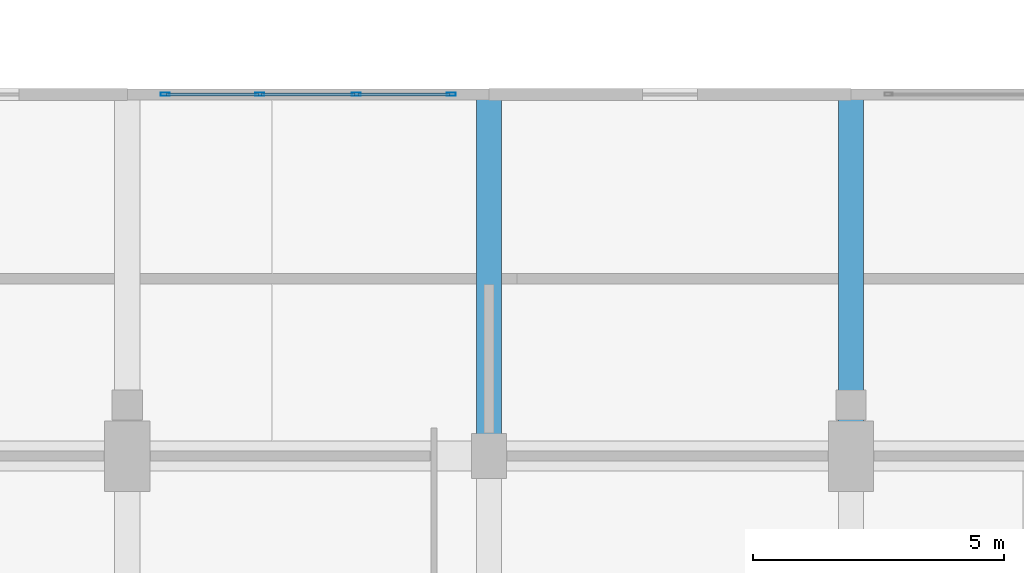
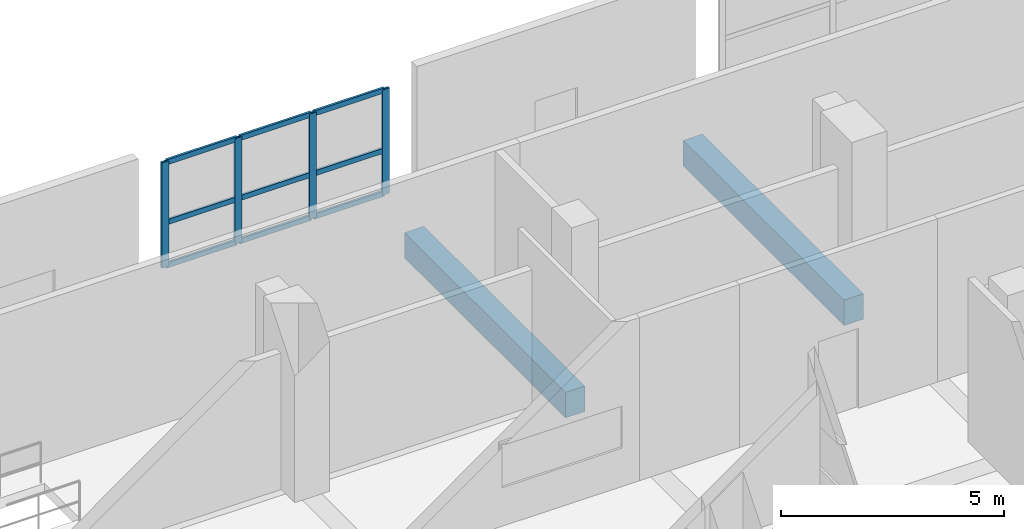
# One storey, part 89 of 181: 13 members, 2 beams, 1 element without a shape of its own.
"""IFC4 building model written with IfcOpenShell, lengths in metres."""

from ifc_helpers import new_model, si_unit, direction, frame, origin, origin_2d, place, context, subcontext, project, spatial, rectangle, hollow_rectangle, extrude, material, layer, layer_set, material_profile, profile_set, type_object, element, aggregate, save


model = new_model("IFC4")

# Units and contexts
model_context = context("Model", 3, precision=1e-05, world=origin(), true_north=direction((0.0, 1.0)))
body_context = subcontext(model_context, "Body", "Model", "MODEL_VIEW")
ifc_project = project(units=[si_unit("LENGTHUNIT", "METRE"), si_unit("AREAUNIT", "SQUARE_METRE"), si_unit("VOLUMEUNIT", "CUBIC_METRE"), si_unit("PLANEANGLEUNIT", "RADIAN"), si_unit("MASSUNIT", "GRAM", prefix="KILO")], contexts=[model_context])

# Site, building, storey
site_placement = place(None, origin())
site = spatial("IfcSite", under=ifc_project, at=site_placement, CompositionType="ELEMENT")
building_placement = place(site_placement, origin())
building = spatial("IfcBuilding", under=site, at=building_placement, Name="Seraya Terrace Polytechnic", CompositionType="ELEMENT")
storey_placement = place(building_placement, frame((0.0, 0.0, 4.800048828125)))
storey = spatial("IfcBuildingStorey", under=building, at=storey_placement, Name="L01", CompositionType="ELEMENT", Elevation=4.800048828125)

# Beams
ifc_material_1 = material(Name="Concrete C40/50", Category="concrete")
ifc_material_profile_1 = material_profile(ifc_material_1, rectangle(XDim=0.5, YDim=0.699951171875, at=origin_2d()), Name="RC 500x700")
ifc_profile_set_1 = profile_set([ifc_material_profile_1], Name="Concrete C40/50")
beam_type = type_object("IfcBeamType", Name="BM-07", PredefinedType="BEAM", material=ifc_profile_set_1)
for number, where, z_axis, x_axis, name in (
    (1, (79.199951171875, 79.199951171875, -0.35009765625), (0.0, 1.0, 0.0), (-1.0, 0.0, 0.0), "Beam BM-07 L01 Y (79.2, 79.2..86.4)"),
    (2, (86.39990234375, 79.199951171875, -0.35009765625), (0.0, 1.0, 0.0), (-1.0, 0.0, 0.0), "Beam BM-07 L01 Y (86.4, 79.2..86.4)"),
):
    element("IfcBeam", number, at=place(storey_placement, frame(where, z_axis=z_axis, x_axis=x_axis)), inside=storey, type_object=beam_type, Name=name, PredefinedType="BEAM", context=body_context, shape_type="SweptSolid", body=[
        extrude(rectangle(XDim=0.5, YDim=0.699951171875, at=origin_2d()), origin(), (0.0, 0.0, 1.0), 7.199951171875),
    ])

# Curtain wall, members
ifc_material_2 = material(Name="Anodised aluminium EN AW-6063 T6", Category="aluminium")
ifc_layer = layer(ifc_material_2, 0.179931640625, Name="CW-13")
ifc_layer_set = layer_set([ifc_layer], Name="Anodised aluminium EN AW-6063 T6")
curtain_wall_type = type_object("IfcCurtainWallType", Name="CW-13", PredefinedType="NOTDEFINED", material=ifc_layer_set)
curtain_wall_placement = place(storey_placement, origin())
curtain_wall = element("IfcCurtainWall", 3, at=curtain_wall_placement, inside=storey, type_object=curtain_wall_type, Name="Unitised curtain wall CW-13 (CW-L01-013)", PredefinedType="NOTDEFINED")
ifc_material_profile_2 = material_profile(ifc_material_2, hollow_rectangle(XDim=0.06494140625, YDim=0.179931640625, WallThickness=0.00390625, at=origin_2d()), Name="RHS 180x65x4.0")
ifc_profile_set_2 = profile_set([ifc_material_profile_2], Name="Anodised aluminium EN AW-6063 T6")
member_type_1 = type_object("IfcMemberType", Name="CWM-01", PredefinedType="MULLION", material=ifc_profile_set_2)
member_1_placement = place(storey_placement, frame((72.75244140625, 86.39990234375, 1.239990234375), z_axis=(0.0, 0.0, 1.0), x_axis=(0.0, 1.0, 0.0)))
member_1 = element("IfcMember", 4, at=member_1_placement, type_object=member_type_1, Name="CW-13 mullion 1", PredefinedType="MULLION", context=body_context, shape_type="SweptSolid", body=[
    extrude(hollow_rectangle(XDim=0.06494140625, YDim=0.179931640625, WallThickness=0.00390625, at=origin_2d()), origin(), (0.0, 0.0, 1.0), 2.8798828125),
])
member_2_placement = place(storey_placement, frame((74.639892578125, 86.39990234375, 1.239990234375), z_axis=(0.0, 0.0, 1.0), x_axis=(0.0, 1.0, 0.0)))
member_2 = element("IfcMember", 5, at=member_2_placement, type_object=member_type_1, Name="CW-13 mullion 2", PredefinedType="MULLION", context=body_context, shape_type="SweptSolid", body=[
    extrude(hollow_rectangle(XDim=0.06494140625, YDim=0.179931640625, WallThickness=0.00390625, at=origin_2d()), origin(), (0.0, 0.0, 1.0), 2.8798828125),
])
member_3_placement = place(storey_placement, frame((76.56005859375, 86.39990234375, 1.239990234375), z_axis=(0.0, 0.0, 1.0), x_axis=(0.0, 1.0, 0.0)))
member_3 = element("IfcMember", 6, at=member_3_placement, type_object=member_type_1, Name="CW-13 mullion 3", PredefinedType="MULLION", context=body_context, shape_type="SweptSolid", body=[
    extrude(hollow_rectangle(XDim=0.06494140625, YDim=0.179931640625, WallThickness=0.00390625, at=origin_2d()), origin(), (0.0, 0.0, 1.0), 2.8798828125),
])
member_4_placement = place(storey_placement, frame((78.447509765625, 86.39990234375, 1.239990234375), z_axis=(0.0, 0.0, 1.0), x_axis=(0.0, 1.0, 0.0)))
member_4 = element("IfcMember", 7, at=member_4_placement, type_object=member_type_1, Name="CW-13 mullion 4", PredefinedType="MULLION", context=body_context, shape_type="SweptSolid", body=[
    extrude(hollow_rectangle(XDim=0.06494140625, YDim=0.179931640625, WallThickness=0.00390625, at=origin_2d()), origin(), (0.0, 0.0, 1.0), 2.8798828125),
])
ifc_material_profile_3 = material_profile(ifc_material_2, hollow_rectangle(XDim=0.06005859375, YDim=0.139892578125, WallThickness=0.00341796875, at=origin_2d()), Name="RHS 140x60x3.5")
ifc_profile_set_3 = profile_set([ifc_material_profile_3], Name="Anodised aluminium EN AW-6063 T6")
member_type_2 = type_object("IfcMemberType", Name="CWT-01", PredefinedType="USERDEFINED", material=ifc_profile_set_3)
member_5_placement = place(storey_placement, frame((72.784912109375, 86.39990234375, 1.27001953125), z_axis=(1.0, 0.0, 0.0), x_axis=(0.0, 1.0, 0.0)))
member_5 = element("IfcMember", 8, at=member_5_placement, type_object=member_type_2, Name="CW-13 transom 1.1", ObjectType="TRANSOM", PredefinedType="USERDEFINED", context=body_context, shape_type="SweptSolid", body=[
    extrude(hollow_rectangle(XDim=0.06005859375, YDim=0.139892578125, WallThickness=0.00341796875, at=origin_2d()), origin(), (0.0, 0.0, 1.0), 1.822509765625),
])
member_6_placement = place(storey_placement, frame((72.784912109375, 86.39990234375, 2.449462890625), z_axis=(1.0, 0.0, 0.0), x_axis=(0.0, 1.0, 0.0)))
member_6 = element("IfcMember", 9, at=member_6_placement, type_object=member_type_2, Name="CW-13 transom 1.2", ObjectType="TRANSOM", PredefinedType="USERDEFINED", context=body_context, shape_type="SweptSolid", body=[
    extrude(hollow_rectangle(XDim=0.06005859375, YDim=0.139892578125, WallThickness=0.00341796875, at=origin_2d()), origin(), (0.0, 0.0, 1.0), 1.822509765625),
])
member_7_placement = place(storey_placement, frame((72.784912109375, 86.39990234375, 4.08984375), z_axis=(1.0, 0.0, 0.0), x_axis=(0.0, 1.0, 0.0)))
member_7 = element("IfcMember", 10, at=member_7_placement, type_object=member_type_2, Name="CW-13 transom 1.3", ObjectType="TRANSOM", PredefinedType="USERDEFINED", context=body_context, shape_type="SweptSolid", body=[
    extrude(hollow_rectangle(XDim=0.06005859375, YDim=0.139892578125, WallThickness=0.00341796875, at=origin_2d()), origin(), (0.0, 0.0, 1.0), 1.822509765625),
])
member_8_placement = place(storey_placement, frame((74.672607421875, 86.39990234375, 1.27001953125), z_axis=(1.0, 0.0, 0.0), x_axis=(0.0, 1.0, 0.0)))
member_8 = element("IfcMember", 11, at=member_8_placement, type_object=member_type_2, Name="CW-13 transom 2.1", ObjectType="TRANSOM", PredefinedType="USERDEFINED", context=body_context, shape_type="SweptSolid", body=[
    extrude(hollow_rectangle(XDim=0.06005859375, YDim=0.139892578125, WallThickness=0.00341796875, at=origin_2d()), origin(), (0.0, 0.0, 1.0), 1.85498046875),
])
member_9_placement = place(storey_placement, frame((74.672607421875, 86.39990234375, 2.449462890625), z_axis=(1.0, 0.0, 0.0), x_axis=(0.0, 1.0, 0.0)))
member_9 = element("IfcMember", 12, at=member_9_placement, type_object=member_type_2, Name="CW-13 transom 2.2", ObjectType="TRANSOM", PredefinedType="USERDEFINED", context=body_context, shape_type="SweptSolid", body=[
    extrude(hollow_rectangle(XDim=0.06005859375, YDim=0.139892578125, WallThickness=0.00341796875, at=origin_2d()), origin(), (0.0, 0.0, 1.0), 1.85498046875),
])
member_10_placement = place(storey_placement, frame((74.672607421875, 86.39990234375, 4.08984375), z_axis=(1.0, 0.0, 0.0), x_axis=(0.0, 1.0, 0.0)))
member_10 = element("IfcMember", 13, at=member_10_placement, type_object=member_type_2, Name="CW-13 transom 2.3", ObjectType="TRANSOM", PredefinedType="USERDEFINED", context=body_context, shape_type="SweptSolid", body=[
    extrude(hollow_rectangle(XDim=0.06005859375, YDim=0.139892578125, WallThickness=0.00341796875, at=origin_2d()), origin(), (0.0, 0.0, 1.0), 1.85498046875),
])
member_11_placement = place(storey_placement, frame((76.592529296875, 86.39990234375, 1.27001953125), z_axis=(1.0, 0.0, 0.0), x_axis=(0.0, 1.0, 0.0)))
member_11 = element("IfcMember", 14, at=member_11_placement, type_object=member_type_2, Name="CW-13 transom 3.1", ObjectType="TRANSOM", PredefinedType="USERDEFINED", context=body_context, shape_type="SweptSolid", body=[
    extrude(hollow_rectangle(XDim=0.06005859375, YDim=0.139892578125, WallThickness=0.00341796875, at=origin_2d()), origin(), (0.0, 0.0, 1.0), 1.822509765625),
])
member_12_placement = place(storey_placement, frame((76.592529296875, 86.39990234375, 2.449462890625), z_axis=(1.0, 0.0, 0.0), x_axis=(0.0, 1.0, 0.0)))
member_12 = element("IfcMember", 15, at=member_12_placement, type_object=member_type_2, Name="CW-13 transom 3.2", ObjectType="TRANSOM", PredefinedType="USERDEFINED", context=body_context, shape_type="SweptSolid", body=[
    extrude(hollow_rectangle(XDim=0.06005859375, YDim=0.139892578125, WallThickness=0.00341796875, at=origin_2d()), origin(), (0.0, 0.0, 1.0), 1.822509765625),
])
member_13_placement = place(storey_placement, frame((76.592529296875, 86.39990234375, 4.08984375), z_axis=(1.0, 0.0, 0.0), x_axis=(0.0, 1.0, 0.0)))
member_13 = element("IfcMember", 16, at=member_13_placement, type_object=member_type_2, Name="CW-13 transom 3.3", ObjectType="TRANSOM", PredefinedType="USERDEFINED", context=body_context, shape_type="SweptSolid", body=[
    extrude(hollow_rectangle(XDim=0.06005859375, YDim=0.139892578125, WallThickness=0.00341796875, at=origin_2d()), origin(), (0.0, 0.0, 1.0), 1.822509765625),
])
aggregate(curtain_wall, [member_1, member_2, member_3, member_4, member_5, member_6, member_7, member_8, member_9, member_10, member_11, member_12, member_13])

save(model, "model.ifc")
